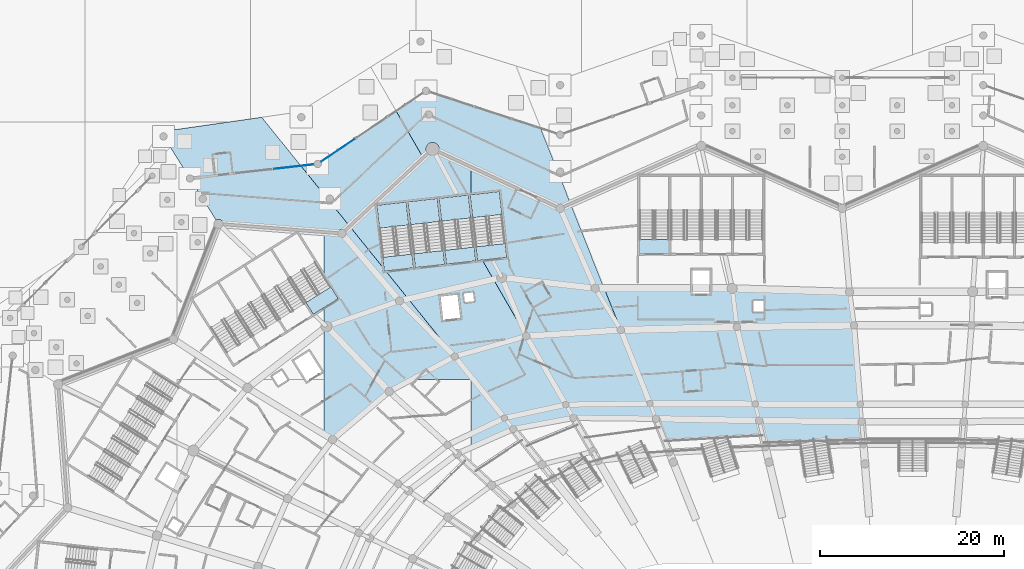
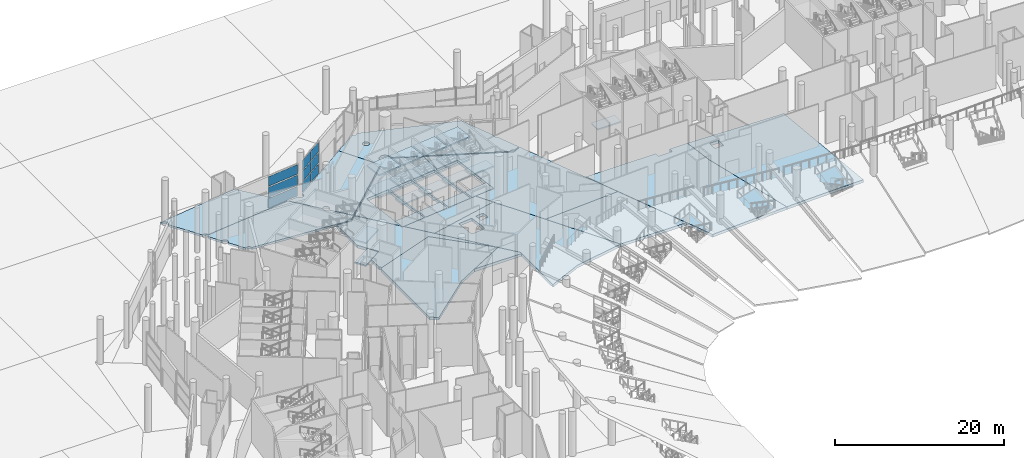
# One storey, part 90 of 255: 32 slabs, 9 plates, 8 elements without a shape of their own.
"""IFC4 building model written with IfcOpenShell, lengths in metres."""

import ifcopenshell
import ifcopenshell.guid

model = None  # the IFC model being written
_history = None  # IfcOwnerHistory: only IFC2X3 demands one
_inside = {}  # id of a spatial element -> (the spatial element, [elements in it])
_under = {}  # id of a project, library or spatial element -> (it, [spatial elements below it])
_declared = {}  # id of a project -> (the project, [libraries it declares])
_typed = {}  # id of a type object -> (the type object, [elements of that type])
_made_of = {}  # id of a material, layer set ... -> (it, [elements and type objects made of it])


def new_model(schema):
    """Start an empty IFC model of exactly this schema.

    Asked for "IFC4X3", IfcOpenShell would pick the latest addendum, in which some entities
    have other attributes; the version numbers below select the first issue.
    IFC2X3 requires an IfcOwnerHistory on every rooted entity: one is made here for all.
    """
    global model, _history
    if schema == "IFC4X3":
        model = ifcopenshell.file(schema_version=(4, 3, 0, 0))
    else:
        model = ifcopenshell.file(schema=schema)
    _inside.clear()
    _under.clear()
    _declared.clear()
    _typed.clear()
    _made_of.clear()
    _history = None
    if model.schema == "IFC2X3":
        org = make("IfcOrganization", Name="unknown")
        user = make(
            "IfcPersonAndOrganization",
            ThePerson=make("IfcPerson", FamilyName="unknown"),
            TheOrganization=org,
        )
        app = make(
            "IfcApplication",
            ApplicationDeveloper=org,
            Version="unknown",
            ApplicationFullName="unknown",
            ApplicationIdentifier="unknown",
        )
        _history = make(
            "IfcOwnerHistory",
            OwningUser=user,
            OwningApplication=app,
            ChangeAction="ADDED",
            CreationDate=0,
        )
    return model


def make(cls, **values):
    """One entity of the class cls with the attributes given. An attribute that is None is left unset."""
    return model.create_entity(
        cls, **{name: value for name, value in values.items() if value is not None}
    )


def rooted(cls, **values):
    """An entity with a GlobalId (a new one), such as an element, a storey or a relation."""
    return make(cls, GlobalId=ifcopenshell.guid.new(), OwnerHistory=_history, **values)


def si_unit(unit_type, name, prefix=None):
    """IfcSIUnit, for example si_unit("LENGTHUNIT", "METRE", prefix="MILLI")."""
    return make("IfcSIUnit", UnitType=unit_type, Prefix=prefix, Name=name)


def assignment(units):
    """IfcUnitAssignment: the units of a project."""
    return None if units is None else make("IfcUnitAssignment", Units=units)


def point(xyz):
    """IfcCartesianPoint."""
    return None if xyz is None else make("IfcCartesianPoint", Coordinates=xyz)


def direction(xyz):
    """IfcDirection."""
    return None if xyz is None else make("IfcDirection", DirectionRatios=xyz)


def frame(location, z_axis=None, x_axis=None):
    """IfcAxis2Placement3D, a coordinate frame: its origin and axes. An axis left out is left unset."""
    return make(
        "IfcAxis2Placement3D",
        Location=point(location),
        Axis=direction(z_axis),
        RefDirection=direction(x_axis),
    )


def frame_2d(location, x_axis=None):
    """IfcAxis2Placement2D, a coordinate frame in the plane: its origin and x axis."""
    return make(
        "IfcAxis2Placement2D", Location=point(location), RefDirection=direction(x_axis)
    )


def origin():
    """The frame at (0, 0, 0) with its axes left unset."""
    return frame((0.0, 0.0, 0.0))


def origin_2d():
    """The frame at (0, 0) in the plane with its x axis left unset."""
    return frame_2d((0.0, 0.0))


def place(relative_to, where):
    """IfcLocalPlacement: puts the frame where relative to a parent placement (None: the world)."""
    return make(
        "IfcLocalPlacement", PlacementRelTo=relative_to, RelativePlacement=where
    )


def context(
    kind, dimensions, precision=None, world=None, true_north=None, identifier=None
):
    """IfcGeometricRepresentationContext, for example the 3D "Model" context."""
    return make(
        "IfcGeometricRepresentationContext",
        ContextIdentifier=identifier,
        ContextType=kind,
        CoordinateSpaceDimension=dimensions,
        Precision=precision,
        WorldCoordinateSystem=world,
        TrueNorth=true_north,
    )


def subcontext(parent, identifier, kind, view, scale=None):
    """IfcGeometricRepresentationSubContext, for example "Body" below "Model"."""
    return make(
        "IfcGeometricRepresentationSubContext",
        ContextIdentifier=identifier,
        ContextType=kind,
        ParentContext=parent,
        TargetScale=scale,
        TargetView=view,
    )


def project(units=None, contexts=None):
    """IfcProject with its units and contexts."""
    return rooted(
        "IfcProject",
        Name="project",
        RepresentationContexts=contexts,
        UnitsInContext=assignment(units),
    )


def spatial(cls, under=None, at=None, **own):
    """A site, building, storey or space (cls), placed at a placement, below another one or the project."""
    s = rooted(cls, ObjectPlacement=at, **own)
    if under is not None:
        _under.setdefault(under.id(), (under, []))[1].append(s)
    return s


def polyline(points):
    """IfcPolyline through the points."""
    return make("IfcPolyline", Points=[point(p) for p in points])


def profile(cls, at=None, kind="AREA", **sizes):
    """A parametric profile (cls). Its sizes go by their IFC names, for example OverallWidth=200.0."""
    return make(cls, ProfileType=kind, Position=at, **sizes)


def rectangle(**sizes):
    """IfcRectangleProfileDef."""
    return profile("IfcRectangleProfileDef", **sizes)


def outline(outer, holes=None, kind="AREA"):
    """IfcArbitraryClosedProfileDef: a profile drawn as a closed curve; with holes, ...WithVoids."""
    if holes is None:
        return make("IfcArbitraryClosedProfileDef", ProfileType=kind, OuterCurve=outer)
    return make(
        "IfcArbitraryProfileDefWithVoids",
        ProfileType=kind,
        OuterCurve=outer,
        InnerCurves=holes,
    )


def extrude(swept, where, along, depth):
    """IfcExtrudedAreaSolid: the profile swept, set in the frame where, extruded along a direction by depth."""
    return make(
        "IfcExtrudedAreaSolid",
        SweptArea=swept,
        Position=where,
        ExtrudedDirection=direction(along),
        Depth=depth,
    )


def shape(context_of_items, identifier, shape_type, items):
    """IfcShapeRepresentation: the items that make up one representation, for example the "Body"."""
    return make(
        "IfcShapeRepresentation",
        ContextOfItems=context_of_items,
        RepresentationIdentifier=identifier,
        RepresentationType=shape_type,
        Items=items,
    )


def material(Name=None, Category=None):
    """IfcMaterial."""
    return make("IfcMaterial", Name=Name, Category=Category)


def layer(
    of_material, thickness, ventilated=None, Name=None, Category=None, Priority=None
):
    """IfcMaterialLayer: one layer of a wall or slab, of a material (None: an air gap)."""
    return make(
        "IfcMaterialLayer",
        Material=of_material,
        LayerThickness=thickness,
        IsVentilated=ventilated,
        Name=Name,
        Category=Category,
        Priority=Priority,
    )


def layer_set(layers, Name=None):
    """IfcMaterialLayerSet."""
    return make("IfcMaterialLayerSet", MaterialLayers=layers, LayerSetName=Name)


def made_of(thing, what):
    """Note that an element or type object is made of a material, layer set ...; save() writes the relation."""
    if what is not None:
        _made_of.setdefault(what.id(), (what, []))[1].append(thing)
    return thing


def type_object(cls, material=None, **own):
    """A type object (cls), such as IfcWallType, which elements share."""
    return made_of(rooted(cls, **own), material)


def element(
    cls,
    number,
    at=None,
    inside=None,
    cuts=None,
    type_object=None,
    material=None,
    context=None,
    identifier="Body",
    shape_type=None,
    held_by="IfcProductDefinitionShape",
    body=None,
    shapes=None,
    **own,
):
    """One element of the class cls, such as IfcWall. Its Tag is "e" and its number.

    at: its placement. inside: the storey or other place that contains it. cuts: it is an
    opening in that element (IfcRelVoidsElement). A single representation is given by context,
    identifier, shape_type and body (its items); several are given by shapes. held_by: the class
    of the entity that holds the representations. save() writes the other relations.
    """
    e = rooted(cls, Tag="e%d" % number, ObjectPlacement=at, **own)
    if body is not None:
        shapes = [shape(context, identifier, shape_type, body)]
    if shapes is not None:
        e.Representation = make(held_by, Representations=shapes)
    if inside is not None:
        _inside.setdefault(inside.id(), (inside, []))[1].append(e)
    if cuts is not None:
        rooted(
            "IfcRelVoidsElement", RelatingBuildingElement=cuts, RelatedOpeningElement=e
        )
    if type_object is not None:
        _typed.setdefault(type_object.id(), (type_object, []))[1].append(e)
    return made_of(e, material)


def aggregate(whole, parts):
    """IfcRelAggregates: a whole, such as a stair, and the parts it consists of."""
    return rooted("IfcRelAggregates", RelatingObject=whole, RelatedObjects=parts)


def save(model, path):
    """Write the relations noted so far, then the file.

    IfcRelAggregates (storeys below a building ...), IfcRelContainedInSpatialStructure (elements
    in a storey), IfcRelDefinesByType, IfcRelAssociatesMaterial and IfcRelDeclares: one each for
    every whole, place, type object, material and project.
    """
    for whole, parts in _under.values():
        aggregate(whole, parts)
    for where, things in _inside.values():
        rooted(
            "IfcRelContainedInSpatialStructure",
            RelatedElements=things,
            RelatingStructure=where,
        )
    for kind, things in _typed.values():
        rooted("IfcRelDefinesByType", RelatedObjects=things, RelatingType=kind)
    for what, things in _made_of.values():
        rooted("IfcRelAssociatesMaterial", RelatedObjects=things, RelatingMaterial=what)
    for by, libraries in _declared.values():
        rooted("IfcRelDeclares", RelatingContext=by, RelatedDefinitions=libraries)
    model.write(path)


model = new_model("IFC4")

# Units and contexts
model_context = context("Model", 3, precision=1e-05, world=origin(), true_north=direction((0.0, 1.0)))
body_context = subcontext(model_context, "Body", "Model", "MODEL_VIEW")
ifc_project = project(units=[si_unit("LENGTHUNIT", "METRE"), si_unit("AREAUNIT", "SQUARE_METRE"), si_unit("VOLUMEUNIT", "CUBIC_METRE"), si_unit("PLANEANGLEUNIT", "RADIAN"), si_unit("MASSUNIT", "GRAM", prefix="KILO")], contexts=[model_context])

# Site, building, storey
site_placement = place(None, origin())
site = spatial("IfcSite", under=ifc_project, at=site_placement, CompositionType="ELEMENT")
building_placement = place(site_placement, origin())
building = spatial("IfcBuilding", under=site, at=building_placement, Name="Meseta Stadium", CompositionType="ELEMENT")
storey_placement = place(building_placement, origin())
storey = spatial("IfcBuildingStorey", under=building, at=storey_placement, Name="L00", CompositionType="ELEMENT", Elevation=0.0)

# Slabs
ifc_material_1 = material(Name="Concrete C40/50", Category="concrete")
ifc_layer_1 = layer(ifc_material_1, 0.39990234375)
ifc_layer_set_1 = layer_set([ifc_layer_1], Name="Floor slab 400")
slab_type_1 = type_object("IfcSlabType", Name="Floor slab 400", PredefinedType="FLOOR", material=ifc_layer_set_1)
slab_1_placement = place(storey_placement, frame((0.0, 0.0, -0.39990234375)))
element("IfcSlab", 1, at=slab_1_placement, inside=storey, type_object=slab_type_1, Name="Floor slab L00 sector 14 panel 02", PredefinedType="FLOOR", context=body_context, shape_type="SweptSolid", body=[
    extrude(outline(polyline([(-23.949951171875, 89.906005859375), (-33.525390625, 89.911376953125), (-26.451171875, 72.083984375), (-24.7373046875, 72.190673828125), (-23.005615234375, 72.293212890625), (-21.266845703125, 72.390625), (-19.521240234375, 72.482177734375), (-17.769287109375, 72.567626953125), (-16.010986328125, 72.646484375), (-19.11865234375, 85.6982421875), (-19.62744140625, 89.90380859375), (-22.050048828125, 89.905029296875), (-22.050048828125, 89.300048828125), (-23.949951171875, 89.300048828125), (-23.949951171875, 89.906005859375)])), origin(), (0.0, 0.0, 1.0), 0.39990234375),
])
slab_2_placement = place(storey_placement, frame((0.0, 0.0, -0.39990234375)))
element("IfcSlab", 2, at=slab_2_placement, inside=storey, type_object=slab_type_1, Name="Floor slab L00 sector 14 panel 04", PredefinedType="FLOOR", context=body_context, shape_type="SweptSolid", body=[
    extrude(outline(polyline([(-6.676025390625, 89.518310546875), (-6.87060546875, 89.517822265625), (-19.62744140625, 89.90380859375), (-19.11865234375, 85.6982421875), (-16.010986328125, 72.646484375), (-14.247314453125, 72.71826171875), (-12.478271484375, 72.78271484375), (-10.70458984375, 72.83935546875), (-8.927001953125, 72.8876953125), (-7.145751953125, 72.927734375), (-5.36181640625, 72.959228515625), (-6.676025390625, 89.518310546875)]), holes=[polyline([(-16.14990234375, 87.35009765625), (-17.35009765625, 87.35009765625), (-17.35009765625, 88.550048828125), (-16.14990234375, 88.550048828125), (-16.14990234375, 87.35009765625)])]), origin(), (0.0, 0.0, 1.0), 0.39990234375),
])
slab_3_placement = place(storey_placement, frame((0.0, 0.0, -0.39990234375)))
element("IfcSlab", 3, at=slab_3_placement, inside=storey, type_object=slab_type_1, Name="Floor slab L00 sector 21 panel 09", PredefinedType="FLOOR", context=body_context, shape_type="SweptSolid", body=[
    extrude(outline(polyline([(-62.051513671875, 95.872802734375), (-64.0, 96.023193359375), (-64.0, 91.239990234375), (-62.45947265625, 88.788330078125), (-64.0, 87.8203125), (-64.0, 86.02587890625), (-63.731201171875, 85.77099609375), (-55.799560546875, 88.541748046875), (-49.791259765625, 82.4990234375), (-57.296142578125, 91.798095703125), (-57.449951171875, 91.78076171875), (-57.477294921875, 92.0224609375), (-61.21435546875, 96.653076171875), (-62.051513671875, 95.872802734375)])), origin(), (0.0, 0.0, 1.0), 0.39990234375),
])
slab_4_placement = place(storey_placement, frame((0.0, 0.0, -0.39990234375)))
element("IfcSlab", 4, at=slab_4_placement, inside=storey, type_object=slab_type_1, Name="Floor slab L00 sector 21 panel 10", PredefinedType="FLOOR", context=body_context, shape_type="SweptSolid", body=[
    extrude(outline(polyline([(-63.068115234375, 73.469970703125), (-56.9150390625, 78.69580078125), (-49.791015625, 82.498779296875), (-55.799560546875, 88.541748046875), (-63.731201171875, 85.77099609375), (-64.0, 85.5615234375), (-64.0, 74.098876953125), (-63.068115234375, 73.469970703125)])), origin(), (0.0, 0.0, 1.0), 0.39990234375),
])
slab_5_placement = place(storey_placement, frame((0.0, 0.0, -0.39990234375)))
element("IfcSlab", 5, at=slab_5_placement, inside=storey, type_object=slab_type_1, Name="Floor slab L00 sector 21 panel 13", PredefinedType="FLOOR", context=body_context, shape_type="SweptSolid", body=[
    extrude(outline(polyline([(-46.7978515625, 92.98095703125), (-47.314208984375, 92.9228515625), (-48.1201171875, 100.077392578125), (-48.0, 100.091064453125), (-48.0, 103.0966796875), (-52.202880859375, 105.0517578125), (-61.21435546875, 96.653076171875), (-57.477294921875, 92.0224609375), (-58.256103515625, 98.935302734375), (-55.076171875, 99.293701171875), (-54.27001953125, 92.138916015625), (-57.296142578125, 91.798095703125), (-54.8447265625, 88.760498046875), (-45.585693359375, 90.8837890625), (-46.7978515625, 92.98095703125)]), holes=[polyline([(-50.692626953125, 92.5419921875), (-51.498779296875, 99.69677734375), (-48.319091796875, 100.05517578125), (-47.5126953125, 92.900390625), (-50.692626953125, 92.5419921875)]), polyline([(-54.87744140625, 99.316162109375), (-51.697509765625, 99.67431640625), (-50.8916015625, 92.519775390625), (-54.0712890625, 92.161376953125), (-54.87744140625, 99.316162109375)])]), origin(), (0.0, 0.0, 1.0), 0.39990234375),
])
slab_6_placement = place(storey_placement, frame((0.0, 0.0, -0.39990234375)))
element("IfcSlab", 6, at=slab_6_placement, inside=storey, type_object=slab_type_1, Name="Floor slab L00 sector 21 panel 14", PredefinedType="FLOOR", context=body_context, shape_type="SweptSolid", body=[
    extrude(outline(polyline([(-48.0, 80.279296875), (-49.78369140625, 82.489501953125), (-49.784423828125, 82.48876953125), (-49.785400390625, 82.48828125), (-54.4462890625, 80.0), (-48.0, 80.0), (-48.0, 80.279296875)])), origin(), (0.0, 0.0, 1.0), 0.39990234375),
])
slab_7_placement = place(storey_placement, frame((0.0, 0.0, -0.39990234375)))
element("IfcSlab", 7, at=slab_7_placement, inside=storey, type_object=slab_type_1, Name="Floor slab L00 sector 21 panel 15", PredefinedType="FLOOR", context=body_context, shape_type="SweptSolid", body=[
    extrude(outline(polyline([(-54.8447265625, 88.760498046875), (-48.0, 80.279296875), (-48.0, 72.59619140625), (-43.430419921875, 74.617431640625), (-36.885986328125, 75.8330078125), (-45.585693359375, 90.8837890625), (-54.8447265625, 88.760498046875)]), holes=[polyline([(-48.71337890625, 88.37255859375), (-48.825439453125, 89.3662109375), (-47.781982421875, 89.483642578125), (-47.669921875, 88.489990234375), (-48.71337890625, 88.37255859375)]), polyline([(-49.174560546875, 86.66015625), (-51.0625, 86.447265625), (-51.353759765625, 89.031005859375), (-49.4658203125, 89.24365234375), (-49.174560546875, 86.66015625)])]), origin(), (0.0, 0.0, 1.0), 0.39990234375),
])
slab_8_placement = place(storey_placement, frame((0.0, 0.0, -0.39990234375)))
element("IfcSlab", 8, at=slab_8_placement, inside=storey, type_object=slab_type_1, Name="Floor slab L00 sector 21 panel 17", PredefinedType="FLOOR", context=body_context, shape_type="SweptSolid", body=[
    extrude(outline(polyline([(-31.747314453125, 85.376220703125), (-37.1953125, 99.104736328125), (-38.333251953125, 98.60009765625), (-48.0, 103.0966796875), (-48.0, 100.091064453125), (-44.9404296875, 100.435791015625), (-44.13427734375, 93.281005859375), (-46.7978515625, 92.98095703125), (-42.015380859375, 84.707275390625), (-31.747314453125, 85.376220703125)])), origin(), (0.0, 0.0, 1.0), 0.39990234375),
])
slab_9_placement = place(storey_placement, frame((0.0, 0.0, -0.39990234375)))
element("IfcSlab", 9, at=slab_9_placement, inside=storey, type_object=slab_type_1, Name="Floor slab L00 sector 21 panel 18", PredefinedType="FLOOR", context=body_context, shape_type="SweptSolid", body=[
    extrude(outline(polyline([(-42.015380859375, 84.707275390625), (-36.8857421875, 75.8330078125), (-27.921630859375, 75.735595703125), (-31.747314453125, 85.376220703125), (-42.015380859375, 84.707275390625)])), origin(), (0.0, 0.0, 1.0), 0.39990234375),
])
ifc_material_2 = material(Name="Concrete C40/50", Category="concrete")
ifc_layer_2 = layer(ifc_material_2, 0.300048828125)
ifc_layer_set_2 = layer_set([ifc_layer_2], Name="Passage paving slab 300")
slab_type_2 = type_object("IfcSlabType", Name="Passage paving slab 300", PredefinedType="FLOOR", material=ifc_layer_set_2)
slab_10_placement = place(storey_placement, frame((0.0, 0.0, -0.300048828125)))
element("IfcSlab", 10, at=slab_10_placement, inside=storey, type_object=slab_type_2, Name="Covered passage paving 3 part 1 panel 01", PredefinedType="FLOOR", context=body_context, shape_type="SweptSolid", body=[
    extrude(outline(polyline([(-78.19091796875, 101.956298828125), (-78.18310546875, 101.89697265625), (-66.512451171875, 103.218017578125), (-70.776611328125, 108.501708984375), (-81.77294921875, 106.93212890625), (-81.66748046875, 106.764404296875), (-81.655517578125, 106.773681640625), (-81.55810546875, 106.81396484375), (-81.45361328125, 106.82763671875), (-81.34912109375, 106.81396484375), (-81.251953125, 106.773681640625), (-81.16845703125, 106.70947265625), (-81.104248046875, 106.6259765625), (-81.06396484375, 106.528564453125), (-81.05029296875, 106.42431640625), (-81.06396484375, 106.31982421875), (-81.104248046875, 106.222412109375), (-81.16845703125, 106.138916015625), (-81.239990234375, 106.083984375), (-78.79443359375, 102.19189453125), (-78.782470703125, 102.201416015625), (-78.68505859375, 102.24169921875), (-78.580810546875, 102.25537109375), (-78.476318359375, 102.24169921875), (-78.37890625, 102.201416015625), (-78.29541015625, 102.13720703125), (-78.231201171875, 102.0537109375), (-78.19091796875, 101.956298828125)])), origin(), (0.0, 0.0, 1.0), 0.300048828125),
])

# Curtain wall, plates
ifc_material_3 = material(Name="Aluminium", Category="aluminium")
ifc_layer_3 = layer(ifc_material_3, 0.199951171875)
ifc_layer_set_3 = layer_set([ifc_layer_3], Name="Ring shopfront curtain wall")
curtain_wall_type = type_object("IfcCurtainWallType", Name="Ring shopfront curtain wall", PredefinedType="NOTDEFINED", material=ifc_layer_set_3)
curtain_wall_1_placement = place(storey_placement, origin())
curtain_wall_1 = element("IfcCurtainWall", 11, at=curtain_wall_1_placement, inside=storey, type_object=curtain_wall_type, Name="Shopfront glazing F22b", PredefinedType="NOTDEFINED")
ifc_material_4 = material(Name="Glass", Category="glass")
ifc_layer_4 = layer(ifc_material_4, 0.035888671875)
ifc_layer_set_4 = layer_set([ifc_layer_4], Name="Ring CW glass panel 36")
plate_type = type_object("IfcPlateType", Name="Ring CW glass panel 36", PredefinedType="CURTAIN_PANEL", material=ifc_layer_set_4)
plate_1_placement = place(storey_placement, frame((-61.573974609375, 105.529052734375, 0.150146484375), z_axis=(0.0, 0.0, 1.0), x_axis=(-0.828908886305, -0.559383641345, 0.0)))
plate_1 = element("IfcPlate", 12, at=plate_1_placement, type_object=plate_type, Name="CWR1 panel 1.1", PredefinedType="CURTAIN_PANEL", context=body_context, shape_type="SweptSolid", body=[
    extrude(rectangle(XDim=2.16259765625, YDim=0.035888671875, at=origin_2d()), origin(), (0.0, 0.0, 1.0), 1.3916015625),
])
plate_2_placement = place(storey_placement, frame((-61.573974609375, 105.529052734375, 1.69189453125), z_axis=(0.0, 0.0, 1.0), x_axis=(-0.828908886305, -0.559383641345, 0.0)))
plate_2 = element("IfcPlate", 13, at=plate_2_placement, type_object=plate_type, Name="CWR1 panel 1.2", PredefinedType="CURTAIN_PANEL", context=body_context, shape_type="SweptSolid", body=[
    extrude(rectangle(XDim=2.16259765625, YDim=0.035888671875, at=origin_2d()), origin(), (0.0, 0.0, 1.0), 1.466552734375),
])
plate_3_placement = place(storey_placement, frame((-61.573974609375, 105.529052734375, 3.308349609375), z_axis=(0.0, 0.0, 1.0), x_axis=(-0.828908886305, -0.559383641345, 0.0)))
plate_3 = element("IfcPlate", 14, at=plate_3_placement, type_object=plate_type, Name="CWR1 panel 1.3", PredefinedType="CURTAIN_PANEL", context=body_context, shape_type="SweptSolid", body=[
    extrude(rectangle(XDim=2.16259765625, YDim=0.035888671875, at=origin_2d()), origin(), (0.0, 0.0, 1.0), 1.3916015625),
])
plate_4_placement = place(storey_placement, frame((-63.416259765625, 104.285888671875, 0.150146484375), z_axis=(0.0, 0.0, 1.0), x_axis=(-0.828908886305, -0.559383641345, 0.0)))
plate_4 = element("IfcPlate", 15, at=plate_4_placement, type_object=plate_type, Name="CWR1 panel 2.1", PredefinedType="CURTAIN_PANEL", context=body_context, shape_type="SweptSolid", body=[
    extrude(rectangle(XDim=2.16259765625, YDim=0.035888671875, at=origin_2d()), origin(), (0.0, 0.0, 1.0), 1.3916015625),
])
plate_5_placement = place(storey_placement, frame((-63.416259765625, 104.285888671875, 1.69189453125), z_axis=(0.0, 0.0, 1.0), x_axis=(-0.828908886305, -0.559383641345, 0.0)))
plate_5 = element("IfcPlate", 16, at=plate_5_placement, type_object=plate_type, Name="CWR1 panel 2.2", PredefinedType="CURTAIN_PANEL", context=body_context, shape_type="SweptSolid", body=[
    extrude(rectangle(XDim=2.16259765625, YDim=0.035888671875, at=origin_2d()), origin(), (0.0, 0.0, 1.0), 1.466552734375),
])
plate_6_placement = place(storey_placement, frame((-63.416259765625, 104.285888671875, 3.308349609375), z_axis=(0.0, 0.0, 1.0), x_axis=(-0.828908886305, -0.559383641345, 0.0)))
plate_6 = element("IfcPlate", 17, at=plate_6_placement, type_object=plate_type, Name="CWR1 panel 2.3", PredefinedType="CURTAIN_PANEL", context=body_context, shape_type="SweptSolid", body=[
    extrude(rectangle(XDim=2.16259765625, YDim=0.035888671875, at=origin_2d()), origin(), (0.0, 0.0, 1.0), 1.3916015625),
])
aggregate(curtain_wall_1, [plate_1, plate_2, plate_3, plate_4, plate_5, plate_6])

curtain_wall_2_placement = place(storey_placement, origin())
curtain_wall_2 = element("IfcCurtainWall", 18, at=curtain_wall_2_placement, inside=storey, type_object=curtain_wall_type, Name="Shopfront glazing F23a", PredefinedType="NOTDEFINED")
plate_7_placement = place(storey_placement, frame((-67.271240234375, 103.132080078125, 0.150146484375), z_axis=(0.0, 0.0, 1.0), x_axis=(-0.993654842707, -0.112472456913, 0.0)))
plate_7 = element("IfcPlate", 19, at=plate_7_placement, type_object=plate_type, Name="CWR1 panel 1.1", PredefinedType="CURTAIN_PANEL", context=body_context, shape_type="SweptSolid", body=[
    extrude(rectangle(XDim=4.267822265625, YDim=0.035888671875, at=origin_2d()), origin(), (0.0, 0.0, 1.0), 1.3916015625),
])
plate_8_placement = place(storey_placement, frame((-67.271240234375, 103.132080078125, 1.69189453125), z_axis=(0.0, 0.0, 1.0), x_axis=(-0.993654842707, -0.112472456913, 0.0)))
plate_8 = element("IfcPlate", 20, at=plate_8_placement, type_object=plate_type, Name="CWR1 panel 1.2", PredefinedType="CURTAIN_PANEL", context=body_context, shape_type="SweptSolid", body=[
    extrude(rectangle(XDim=4.267822265625, YDim=0.035888671875, at=origin_2d()), origin(), (0.0, 0.0, 1.0), 1.466552734375),
])
plate_9_placement = place(storey_placement, frame((-67.271240234375, 103.132080078125, 3.308349609375), z_axis=(0.0, 0.0, 1.0), x_axis=(-0.993654842707, -0.112472456913, 0.0)))
plate_9 = element("IfcPlate", 21, at=plate_9_placement, type_object=plate_type, Name="CWR1 panel 1.3", PredefinedType="CURTAIN_PANEL", context=body_context, shape_type="SweptSolid", body=[
    extrude(rectangle(XDim=4.267822265625, YDim=0.035888671875, at=origin_2d()), origin(), (0.0, 0.0, 1.0), 1.3916015625),
])
aggregate(curtain_wall_2, [plate_7, plate_8, plate_9])

# Slabs
ifc_material_5 = material(Name="Concrete C30/37", Category="concrete")
ifc_layer_5 = layer(ifc_material_5, 0.300048828125)
ifc_layer_set_5 = layer_set([ifc_layer_5], Name="Ring grade slab 300")
slab_type_3 = type_object("IfcSlabType", Name="Ring grade slab 300", PredefinedType="BASESLAB", material=ifc_layer_set_5)
slab_11_placement = place(storey_placement, frame((0.0, 0.0, -0.300048828125)))
element("IfcSlab", 22, at=slab_11_placement, inside=storey, type_object=slab_type_3, Name="Ring ground floor slab 3 part 1 panel 01", PredefinedType="BASESLAB", context=body_context, shape_type="SweptSolid", body=[
    extrude(outline(polyline([(-61.93408203125, 96.31103515625), (-61.842041015625, 96.27294921875), (-61.30859375, 96.77001953125), (-63.3125, 99.252685546875), (-63.372802734375, 99.244873046875), (-63.47705078125, 99.258544921875), (-63.574462890625, 99.298828125), (-63.657958984375, 99.363037109375), (-63.72216796875, 99.446533203125), (-63.762451171875, 99.543701171875), (-63.776123046875, 99.648193359375), (-63.762451171875, 99.752685546875), (-63.74658203125, 99.790771484375), (-66.512451171875, 103.218017578125), (-78.18310546875, 101.89697265625), (-78.17724609375, 101.851806640625), (-78.19091796875, 101.747314453125), (-78.231201171875, 101.650146484375), (-78.29541015625, 101.566650390625), (-78.366943359375, 101.51171875), (-77.40087890625, 99.974365234375), (-77.388916015625, 99.983642578125), (-77.291748046875, 100.02392578125), (-77.187255859375, 100.03759765625), (-77.082763671875, 100.02392578125), (-76.985595703125, 99.983642578125), (-76.902099609375, 99.91943359375), (-76.837890625, 99.8359375), (-76.797607421875, 99.738525390625), (-76.78369140625, 99.63427734375), (-76.797607421875, 99.52978515625), (-76.837890625, 99.4326171875), (-76.902099609375, 99.348876953125), (-76.973388671875, 99.2939453125), (-75.74169921875, 97.333740234375), (-75.726806640625, 97.34521484375), (-75.60498046875, 97.395751953125), (-75.474609375, 97.412841796875), (-75.343994140625, 97.395751953125), (-75.222412109375, 97.34521484375), (-75.117919921875, 97.26513671875), (-75.037841796875, 97.16064453125), (-74.9873046875, 97.0390625), (-74.985107421875, 97.021240234375), (-62.463134765625, 96.054931640625), (-62.444580078125, 96.099609375), (-62.37255859375, 96.193603515625), (-62.278564453125, 96.265869140625), (-62.1689453125, 96.31103515625), (-62.051513671875, 96.32666015625), (-61.93408203125, 96.31103515625)])), origin(), (0.0, 0.0, 1.0), 0.300048828125),
])
slab_12_placement = place(storey_placement, frame((0.0, 0.0, -0.300048828125)))
element("IfcSlab", 23, at=slab_12_placement, inside=storey, type_object=slab_type_3, Name="Ring ground floor slab 3 part 1 panel 02", PredefinedType="BASESLAB", context=body_context, shape_type="SweptSolid", body=[
    extrude(outline(polyline([(-65.08349609375, 103.3193359375), (-65.09130859375, 103.37890625), (-66.512451171875, 103.218017578125), (-63.74658203125, 99.790771484375), (-63.72216796875, 99.85009765625), (-63.657958984375, 99.93359375), (-63.574462890625, 99.997802734375), (-63.47705078125, 100.0380859375), (-63.372802734375, 100.0517578125), (-63.268310546875, 100.0380859375), (-63.1708984375, 99.997802734375), (-63.08740234375, 99.93359375), (-63.023193359375, 99.85009765625), (-62.98291015625, 99.752685546875), (-62.96923828125, 99.648193359375), (-62.98291015625, 99.543701171875), (-63.023193359375, 99.446533203125), (-63.08740234375, 99.363037109375), (-63.1708984375, 99.298828125), (-63.268310546875, 99.258544921875), (-63.3125, 99.252685546875), (-61.30859375, 96.77001953125), (-53.3017578125, 104.232666015625), (-56.162109375, 109.18115234375), (-64.361572265625, 103.64794921875), (-64.344482421875, 103.62548828125), (-64.30419921875, 103.5283203125), (-64.290283203125, 103.423828125), (-64.30419921875, 103.3193359375), (-64.344482421875, 103.22216796875), (-64.408447265625, 103.138427734375), (-64.4921875, 103.074462890625), (-64.58935546875, 103.0341796875), (-64.69384765625, 103.020263671875), (-64.798095703125, 103.0341796875), (-64.8955078125, 103.074462890625), (-64.97900390625, 103.138427734375), (-65.043212890625, 103.22216796875), (-65.08349609375, 103.3193359375)])), origin(), (0.0, 0.0, 1.0), 0.300048828125),
])
slab_13_placement = place(storey_placement, frame((0.0, 0.0, -0.300048828125)))
element("IfcSlab", 24, at=slab_13_placement, inside=storey, type_object=slab_type_3, Name="Ring ground floor slab 3 part 1 panel 03", PredefinedType="BASESLAB", context=body_context, shape_type="SweptSolid", body=[
    extrude(outline(polyline([(-53.2001953125, 111.087158203125), (-53.247314453125, 111.148193359375), (-56.162109375, 109.18115234375), (-53.3017578125, 104.232666015625), (-52.80908203125, 104.69189453125), (-52.814208984375, 104.698486328125), (-52.884765625, 104.868896484375), (-52.908935546875, 105.0517578125), (-52.884765625, 105.234375), (-52.814208984375, 105.40478515625), (-52.7021484375, 105.55078125), (-52.555908203125, 105.6630859375), (-52.385498046875, 105.733642578125), (-52.202880859375, 105.7578125), (-52.02001953125, 105.733642578125), (-51.849853515625, 105.6630859375), (-51.70361328125, 105.55078125), (-51.59130859375, 105.40478515625), (-51.520751953125, 105.234375), (-51.496826171875, 105.0517578125), (-51.51708984375, 104.898193359375), (-38.65771484375, 98.91650390625), (-38.654296875, 98.9208984375), (-38.560302734375, 98.9931640625), (-38.45068359375, 99.038330078125), (-38.333251953125, 99.053955078125), (-38.2158203125, 99.038330078125), (-38.1064453125, 98.9931640625), (-38.012451171875, 98.9208984375), (-38.004150390625, 98.91015625), (-37.25048828125, 99.244384765625), (-38.427001953125, 102.208984375), (-38.437744140625, 102.210205078125), (-38.53515625, 102.25048828125), (-38.61865234375, 102.314697265625), (-38.6826171875, 102.398193359375), (-38.722900390625, 102.49560546875), (-38.73681640625, 102.60009765625), (-38.722900390625, 102.704345703125), (-38.6826171875, 102.8017578125), (-38.669189453125, 102.8193359375), (-40.443603515625, 107.290771484375), (-52.53369140625, 111.24755859375), (-52.565673828125, 111.170654296875), (-52.629638671875, 111.087158203125), (-52.71337890625, 111.02294921875), (-52.810546875, 110.982666015625), (-52.9150390625, 110.968994140625), (-53.019287109375, 110.982666015625), (-53.11669921875, 111.02294921875), (-53.2001953125, 111.087158203125)]), holes=[polyline([(-52.521728515625, 108.41845703125), (-52.626220703125, 108.40478515625), (-52.73046875, 108.41845703125), (-52.827880859375, 108.458740234375), (-52.911376953125, 108.52294921875), (-52.9755859375, 108.6064453125), (-53.015869140625, 108.703857421875), (-53.029541015625, 108.80810546875), (-53.015869140625, 108.91259765625), (-52.9755859375, 109.010009765625), (-52.911376953125, 109.093505859375), (-52.827880859375, 109.15771484375), (-52.73046875, 109.197998046875), (-52.626220703125, 109.211669921875), (-52.521728515625, 109.197998046875), (-52.42431640625, 109.15771484375), (-52.3408203125, 109.093505859375), (-52.276611328125, 109.010009765625), (-52.236328125, 108.91259765625), (-52.22265625, 108.80810546875), (-52.236328125, 108.703857421875), (-52.276611328125, 108.6064453125), (-52.3408203125, 108.52294921875), (-52.42431640625, 108.458740234375), (-52.521728515625, 108.41845703125)])]), origin(), (0.0, 0.0, 1.0), 0.300048828125),
])

# Stair, slab
ifc_material_6 = material(Name="Concrete C40/50", Category="concrete")
stair_type = type_object("IfcStairType", Name="Exit stair 4 flights 148 mm risers", PredefinedType="HALF_TURN_STAIR", material=ifc_material_6)
stair_1_placement = place(storey_placement, origin())
stair_1 = element("IfcStair", 25, at=stair_1_placement, inside=storey, type_object=stair_type, Name="ST44 L00", PredefinedType="HALF_TURN_STAIR")
ifc_material_7 = material(Name="Concrete C40/50", Category="concrete")
ifc_layer_6 = layer(ifc_material_7, 0.199951171875)
ifc_layer_set_6 = layer_set([ifc_layer_6], Name="Stair landing 200")
slab_type_4 = type_object("IfcSlabType", Name="Stair landing 200", PredefinedType="LANDING", material=ifc_layer_set_6)
slab_14_placement = place(storey_placement, frame((0.0, 0.0, 3.050048828125)))
slab_14 = element("IfcSlab", 26, at=slab_14_placement, type_object=slab_type_4, Name="ST44 L00 landing 2", PredefinedType="LANDING", context=body_context, shape_type="SweptSolid", body=[
    extrude(outline(polyline([(-26.5, 93.699951171875), (-26.5, 95.2099609375), (-29.699951171875, 95.2099609375), (-29.699951171875, 93.699951171875), (-26.5, 93.699951171875)])), origin(), (0.0, 0.0, 1.0), 0.199951171875),
])
aggregate(stair_1, [slab_14])

# Stair, slabs
stair_2_placement = place(storey_placement, origin())
stair_2 = element("IfcStair", 27, at=stair_2_placement, inside=storey, type_object=stair_type, Name="ST45 L00", PredefinedType="HALF_TURN_STAIR")
slab_15_placement = place(storey_placement, frame((0.0, 0.0, 1.425048828125)))
slab_15 = element("IfcSlab", 28, at=slab_15_placement, type_object=slab_type_4, Name="ST45 L00 landing 1", PredefinedType="LANDING", context=body_context, shape_type="SweptSolid", body=[
    extrude(outline(polyline([(-44.659423828125, 97.941650390625), (-44.9404296875, 100.435791015625), (-48.1201171875, 100.077392578125), (-47.839111328125, 97.583251953125), (-44.659423828125, 97.941650390625)])), origin(), (0.0, 0.0, 1.0), 0.199951171875),
])
slab_16_placement = place(storey_placement, frame((0.0, 0.0, 3.050048828125)))
slab_16 = element("IfcSlab", 29, at=slab_16_placement, type_object=slab_type_4, Name="ST45 L00 landing 2", PredefinedType="LANDING", context=body_context, shape_type="SweptSolid", body=[
    extrude(outline(polyline([(-44.13427734375, 93.281005859375), (-44.30322265625, 94.781494140625), (-47.483154296875, 94.42333984375), (-47.314208984375, 92.9228515625), (-44.13427734375, 93.281005859375)])), origin(), (0.0, 0.0, 1.0), 0.199951171875),
])
slab_17_placement = place(storey_placement, frame((0.0, 0.0, 4.675048828125)))
slab_17 = element("IfcSlab", 30, at=slab_17_placement, type_object=slab_type_4, Name="ST45 L00 landing 3", PredefinedType="LANDING", context=body_context, shape_type="SweptSolid", body=[
    extrude(outline(polyline([(-44.659423828125, 97.941650390625), (-44.9404296875, 100.435791015625), (-48.1201171875, 100.077392578125), (-47.839111328125, 97.583251953125), (-44.659423828125, 97.941650390625)])), origin(), (0.0, 0.0, 1.0), 0.199951171875),
])
slab_18_placement = place(storey_placement, frame((0.0, 0.0, -0.199951171875)))
slab_18 = element("IfcSlab", 31, at=slab_18_placement, type_object=slab_type_4, Name="ST45 L00 landing 4", PredefinedType="LANDING", context=body_context, shape_type="SweptSolid", body=[
    extrude(outline(polyline([(-44.13427734375, 93.281005859375), (-44.30322265625, 94.781494140625), (-47.483154296875, 94.42333984375), (-47.314208984375, 92.9228515625), (-44.13427734375, 93.281005859375)])), origin(), (0.0, 0.0, 1.0), 0.199951171875),
])
aggregate(stair_2, [slab_15, slab_16, slab_17, slab_18])

stair_3_placement = place(storey_placement, origin())
stair_3 = element("IfcStair", 32, at=stair_3_placement, inside=storey, type_object=stair_type, Name="ST46 L00", PredefinedType="HALF_TURN_STAIR")
slab_19_placement = place(storey_placement, frame((0.0, 0.0, 1.425048828125)))
slab_19 = element("IfcSlab", 33, at=slab_19_placement, type_object=slab_type_4, Name="ST46 L00 landing 1", PredefinedType="LANDING", context=body_context, shape_type="SweptSolid", body=[
    extrude(outline(polyline([(-48.037841796875, 97.560791015625), (-48.319091796875, 100.05517578125), (-51.498779296875, 99.69677734375), (-51.2177734375, 97.20263671875), (-48.037841796875, 97.560791015625)])), origin(), (0.0, 0.0, 1.0), 0.199951171875),
])
slab_20_placement = place(storey_placement, frame((0.0, 0.0, 3.050048828125)))
slab_20 = element("IfcSlab", 34, at=slab_20_placement, type_object=slab_type_4, Name="ST46 L00 landing 2", PredefinedType="LANDING", context=body_context, shape_type="SweptSolid", body=[
    extrude(outline(polyline([(-47.512939453125, 92.900390625), (-47.681884765625, 94.40087890625), (-50.86181640625, 94.04248046875), (-50.692626953125, 92.5419921875), (-47.512939453125, 92.900390625)])), origin(), (0.0, 0.0, 1.0), 0.199951171875),
])
slab_21_placement = place(storey_placement, frame((0.0, 0.0, 4.675048828125)))
slab_21 = element("IfcSlab", 35, at=slab_21_placement, type_object=slab_type_4, Name="ST46 L00 landing 3", PredefinedType="LANDING", context=body_context, shape_type="SweptSolid", body=[
    extrude(outline(polyline([(-48.037841796875, 97.560791015625), (-48.319091796875, 100.05517578125), (-51.498779296875, 99.69677734375), (-51.2177734375, 97.20263671875), (-48.037841796875, 97.560791015625)])), origin(), (0.0, 0.0, 1.0), 0.199951171875),
])
slab_22_placement = place(storey_placement, frame((0.0, 0.0, -0.199951171875)))
slab_22 = element("IfcSlab", 36, at=slab_22_placement, type_object=slab_type_4, Name="ST46 L00 landing 4", PredefinedType="LANDING", context=body_context, shape_type="SweptSolid", body=[
    extrude(outline(polyline([(-47.512939453125, 92.900390625), (-47.681884765625, 94.40087890625), (-50.86181640625, 94.04248046875), (-50.692626953125, 92.5419921875), (-47.512939453125, 92.900390625)])), origin(), (0.0, 0.0, 1.0), 0.199951171875),
])
aggregate(stair_3, [slab_19, slab_20, slab_21, slab_22])

stair_4_placement = place(storey_placement, origin())
stair_4 = element("IfcStair", 37, at=stair_4_placement, inside=storey, type_object=stair_type, Name="ST47 L00", PredefinedType="HALF_TURN_STAIR")
slab_23_placement = place(storey_placement, frame((0.0, 0.0, 1.425048828125)))
slab_23 = element("IfcSlab", 38, at=slab_23_placement, type_object=slab_type_4, Name="ST47 L00 landing 1", PredefinedType="LANDING", context=body_context, shape_type="SweptSolid", body=[
    extrude(outline(polyline([(-51.41650390625, 97.18017578125), (-51.697509765625, 99.67431640625), (-54.87744140625, 99.316162109375), (-54.596435546875, 96.822021484375), (-51.41650390625, 97.18017578125)])), origin(), (0.0, 0.0, 1.0), 0.199951171875),
])
slab_24_placement = place(storey_placement, frame((0.0, 0.0, 3.050048828125)))
slab_24 = element("IfcSlab", 39, at=slab_24_placement, type_object=slab_type_4, Name="ST47 L00 landing 2", PredefinedType="LANDING", context=body_context, shape_type="SweptSolid", body=[
    extrude(outline(polyline([(-50.891357421875, 92.519775390625), (-51.060546875, 94.020263671875), (-54.240478515625, 93.661865234375), (-54.0712890625, 92.161376953125), (-50.891357421875, 92.519775390625)])), origin(), (0.0, 0.0, 1.0), 0.199951171875),
])
slab_25_placement = place(storey_placement, frame((0.0, 0.0, 4.675048828125)))
slab_25 = element("IfcSlab", 40, at=slab_25_placement, type_object=slab_type_4, Name="ST47 L00 landing 3", PredefinedType="LANDING", context=body_context, shape_type="SweptSolid", body=[
    extrude(outline(polyline([(-51.41650390625, 97.18017578125), (-51.697509765625, 99.67431640625), (-54.87744140625, 99.316162109375), (-54.596435546875, 96.822021484375), (-51.41650390625, 97.18017578125)])), origin(), (0.0, 0.0, 1.0), 0.199951171875),
])
slab_26_placement = place(storey_placement, frame((0.0, 0.0, -0.199951171875)))
slab_26 = element("IfcSlab", 41, at=slab_26_placement, type_object=slab_type_4, Name="ST47 L00 landing 4", PredefinedType="LANDING", context=body_context, shape_type="SweptSolid", body=[
    extrude(outline(polyline([(-50.891357421875, 92.519775390625), (-51.060546875, 94.020263671875), (-54.240478515625, 93.661865234375), (-54.0712890625, 92.161376953125), (-50.891357421875, 92.519775390625)])), origin(), (0.0, 0.0, 1.0), 0.199951171875),
])
aggregate(stair_4, [slab_23, slab_24, slab_25, slab_26])

stair_5_placement = place(storey_placement, origin())
stair_5 = element("IfcStair", 42, at=stair_5_placement, inside=storey, type_object=stair_type, Name="ST48 L00", PredefinedType="HALF_TURN_STAIR")
slab_27_placement = place(storey_placement, frame((0.0, 0.0, 1.425048828125)))
slab_27 = element("IfcSlab", 43, at=slab_27_placement, type_object=slab_type_4, Name="ST48 L00 landing 1", PredefinedType="LANDING", context=body_context, shape_type="SweptSolid", body=[
    extrude(outline(polyline([(-54.795166015625, 96.799560546875), (-55.076171875, 99.293701171875), (-58.256103515625, 98.935546875), (-57.97509765625, 96.441162109375), (-54.795166015625, 96.799560546875)])), origin(), (0.0, 0.0, 1.0), 0.199951171875),
])
slab_28_placement = place(storey_placement, frame((0.0, 0.0, 3.050048828125)))
slab_28 = element("IfcSlab", 44, at=slab_28_placement, type_object=slab_type_4, Name="ST48 L00 landing 2", PredefinedType="LANDING", context=body_context, shape_type="SweptSolid", body=[
    extrude(outline(polyline([(-54.27001953125, 92.138916015625), (-54.439208984375, 93.639404296875), (-57.618896484375, 93.28125), (-57.449951171875, 91.78076171875), (-54.27001953125, 92.138916015625)])), origin(), (0.0, 0.0, 1.0), 0.199951171875),
])
slab_29_placement = place(storey_placement, frame((0.0, 0.0, 4.675048828125)))
slab_29 = element("IfcSlab", 45, at=slab_29_placement, type_object=slab_type_4, Name="ST48 L00 landing 3", PredefinedType="LANDING", context=body_context, shape_type="SweptSolid", body=[
    extrude(outline(polyline([(-54.795166015625, 96.799560546875), (-55.076171875, 99.293701171875), (-58.256103515625, 98.935546875), (-57.97509765625, 96.441162109375), (-54.795166015625, 96.799560546875)])), origin(), (0.0, 0.0, 1.0), 0.199951171875),
])
slab_30_placement = place(storey_placement, frame((0.0, 0.0, -0.199951171875)))
slab_30 = element("IfcSlab", 46, at=slab_30_placement, type_object=slab_type_4, Name="ST48 L00 landing 4", PredefinedType="LANDING", context=body_context, shape_type="SweptSolid", body=[
    extrude(outline(polyline([(-54.27001953125, 92.138916015625), (-54.439208984375, 93.639404296875), (-57.618896484375, 93.28125), (-57.449951171875, 91.78076171875), (-54.27001953125, 92.138916015625)])), origin(), (0.0, 0.0, 1.0), 0.199951171875),
])
aggregate(stair_5, [slab_27, slab_28, slab_29, slab_30])

stair_6_placement = place(storey_placement, origin())
stair_6 = element("IfcStair", 47, at=stair_6_placement, inside=storey, type_object=stair_type, Name="ST49 L00", PredefinedType="HALF_TURN_STAIR")
slab_31_placement = place(storey_placement, frame((0.0, 0.0, 3.050048828125)))
slab_31 = element("IfcSlab", 48, at=slab_31_placement, type_object=slab_type_4, Name="ST49 L00 landing 2", PredefinedType="LANDING", context=body_context, shape_type="SweptSolid", body=[
    extrude(outline(polyline([(-62.45947265625, 88.788330078125), (-63.262939453125, 90.06689453125), (-65.972412109375, 88.364501953125), (-65.1689453125, 87.0859375), (-62.45947265625, 88.788330078125)])), origin(), (0.0, 0.0, 1.0), 0.199951171875),
])
slab_32_placement = place(storey_placement, frame((0.0, 0.0, -0.199951171875)))
slab_32 = element("IfcSlab", 49, at=slab_32_placement, type_object=slab_type_4, Name="ST49 L00 landing 4", PredefinedType="LANDING", context=body_context, shape_type="SweptSolid", body=[
    extrude(outline(polyline([(-62.45947265625, 88.788330078125), (-63.262939453125, 90.06689453125), (-65.972412109375, 88.364501953125), (-65.1689453125, 87.0859375), (-62.45947265625, 88.788330078125)])), origin(), (0.0, 0.0, 1.0), 0.199951171875),
])
aggregate(stair_6, [slab_31, slab_32])

save(model, "model.ifc")
